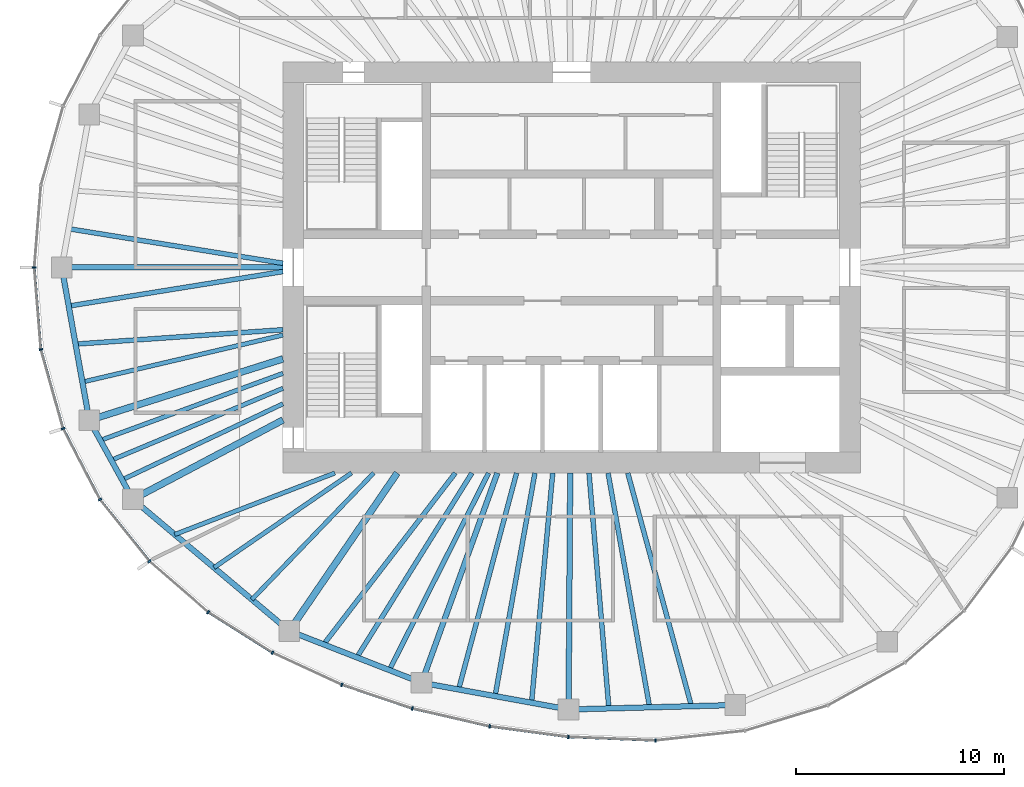
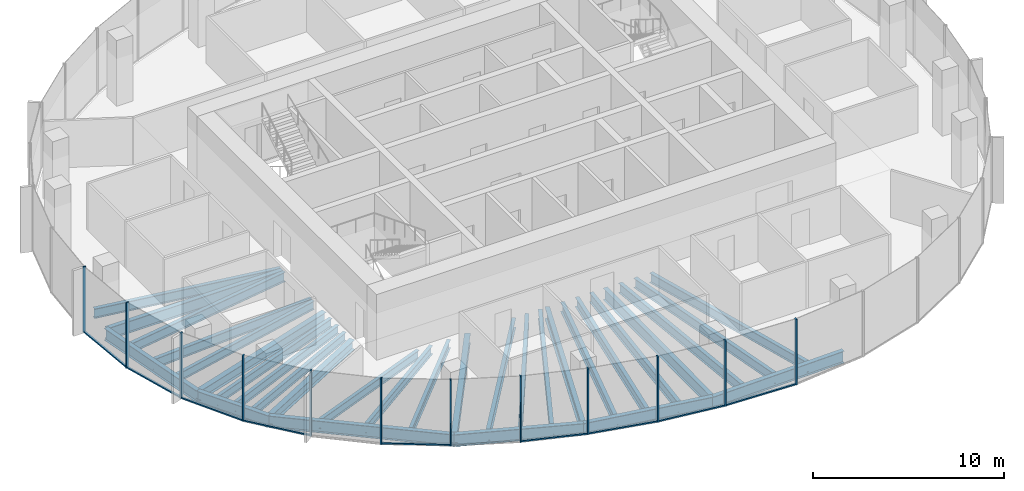
# One storey, part 2 of 11: 31 beams, 21 members, 6 elements without a shape of their own.
"""IFC4 building model written with IfcOpenShell, lengths in metres."""

from ifc_helpers import new_model, si_unit, direction, frame, origin, origin_2d, place, context, subcontext, project, spatial, rectangle, i_section, extrude, material, material_profile, profile_set, type_object, element, aggregate, save


model = new_model("IFC4")

# Units and contexts
model_context = context("Model", 3, precision=1e-05, world=origin(), true_north=direction((0.0, 1.0)))
body_context = subcontext(model_context, "Body", "Model", "MODEL_VIEW")
ifc_project = project(units=[si_unit("LENGTHUNIT", "METRE"), si_unit("AREAUNIT", "SQUARE_METRE"), si_unit("VOLUMEUNIT", "CUBIC_METRE"), si_unit("PLANEANGLEUNIT", "RADIAN"), si_unit("MASSUNIT", "GRAM", prefix="KILO")], contexts=[model_context])

# Site, building, storey
site_placement = place(None, origin())
site = spatial("IfcSite", under=ifc_project, at=site_placement, CompositionType="ELEMENT")
building_placement = place(site_placement, origin())
building = spatial("IfcBuilding", under=site, at=building_placement, Name="Ghaith Harvest Tower", CompositionType="ELEMENT")
storey_placement = place(building_placement, frame((0.0, 0.0, 317.39990234375)))
storey = spatial("IfcBuildingStorey", under=building, at=storey_placement, Name="L71", CompositionType="ELEMENT", Elevation=317.39990234375)

# Curtain wall, members
ifc_material_1 = material(Name="Black anodised aluminium and fritted glass", Category="aluminium")
curtain_wall_type = type_object("IfcCurtainWallType", Name="CW-T CURTAIN WALL", PredefinedType="NOTDEFINED", material=ifc_material_1)
curtain_wall_1_placement = place(storey_placement, origin())
curtain_wall_1 = element("IfcCurtainWall", 1, at=curtain_wall_1_placement, inside=storey, type_object=curtain_wall_type, Name="Curtain wall CW-T bay 11 L71", PredefinedType="NOTDEFINED")
ifc_material_2 = material(Name="Aluminium, black anodised", Category="aluminium")
ifc_material_profile_1 = material_profile(ifc_material_2, rectangle(XDim=0.080078125, YDim=0.179931640625, at=origin_2d()), Name="CW-T MULLION 80x180")
ifc_profile_set_1 = profile_set([ifc_material_profile_1], Name="Aluminium, black anodised")
member_type_1 = type_object("IfcMemberType", Name="CW-T MULLION 80x180", PredefinedType="MULLION", material=ifc_profile_set_1)
member_1_placement = place(storey_placement, frame((-25.8701171875, 0.0, 0.0), z_axis=(0.0, 0.0, 1.0), x_axis=(-1.05e-10, -1.0, 0.0)))
member_1 = element("IfcMember", 2, at=member_1_placement, type_object=member_type_1, Name="CW-T mullion 1 bay 11 L71", PredefinedType="MULLION", context=body_context, shape_type="SweptSolid", body=[
    extrude(rectangle(XDim=0.080078125, YDim=0.179931640625, at=origin_2d()), origin(), (0.0, 0.0, 1.0), 4.2001953125),
])
member_2_placement = place(storey_placement, frame((-25.5517578125, -3.9521484375, 0.0), z_axis=(0.0, 0.0, 1.0), x_axis=(0.176001391003, -0.98438991785, 0.0)))
member_2 = element("IfcMember", 3, at=member_2_placement, type_object=member_type_1, Name="CW-T mullion 2 bay 11 L71", PredefinedType="MULLION", context=body_context, shape_type="SweptSolid", body=[
    extrude(rectangle(XDim=0.080078125, YDim=0.179931640625, at=origin_2d()), origin(), (0.0, 0.0, 1.0), 4.2001953125),
])

curtain_wall_2_placement = place(storey_placement, origin())
curtain_wall_2 = element("IfcCurtainWall", 4, at=curtain_wall_2_placement, inside=storey, type_object=curtain_wall_type, Name="Curtain wall CW-T bay 12 L71", PredefinedType="NOTDEFINED")
member_3_placement = place(storey_placement, frame((-24.482666015625, -7.759033203125, 0.0), z_axis=(0.0, 0.0, 1.0), x_axis=(0.366473104734, -0.930428645038, 0.0)))
member_3 = element("IfcMember", 5, at=member_3_placement, type_object=member_type_1, Name="CW-T mullion 1 bay 12 L71", PredefinedType="MULLION", context=body_context, shape_type="SweptSolid", body=[
    extrude(rectangle(XDim=0.080078125, YDim=0.179931640625, at=origin_2d()), origin(), (0.0, 0.0, 1.0), 4.2001953125),
])
member_4_placement = place(storey_placement, frame((-22.706298828125, -11.176513671875, 0.0), z_axis=(0.0, 0.0, 1.0), x_axis=(0.545865412431, -0.837872873121, 0.0)))
member_4 = element("IfcMember", 6, at=member_4_placement, type_object=member_type_1, Name="CW-T mullion 2 bay 12 L71", PredefinedType="MULLION", context=body_context, shape_type="SweptSolid", body=[
    extrude(rectangle(XDim=0.080078125, YDim=0.179931640625, at=origin_2d()), origin(), (0.0, 0.0, 1.0), 4.2001953125),
])

curtain_wall_3_placement = place(storey_placement, origin())
curtain_wall_3 = element("IfcCurtainWall", 7, at=curtain_wall_3_placement, inside=storey, type_object=curtain_wall_type, Name="Curtain wall CW-T bay 13 L71", PredefinedType="NOTDEFINED")
member_5_placement = place(storey_placement, frame((-20.324462890625, -14.141845703125, 0.0), z_axis=(0.0, 0.0, 1.0), x_axis=(0.692826491831, -0.721104328248, 0.0)))
member_5 = element("IfcMember", 8, at=member_5_placement, type_object=member_type_1, Name="CW-T mullion 1 bay 13 L71", PredefinedType="MULLION", context=body_context, shape_type="SweptSolid", body=[
    extrude(rectangle(XDim=0.080078125, YDim=0.179931640625, at=origin_2d()), origin(), (0.0, 0.0, 1.0), 4.2001953125),
])
member_6_placement = place(storey_placement, frame((-17.49462890625, -16.600830078125, 0.0), z_axis=(0.0, 0.0, 1.0), x_axis=(0.802189888845, -0.59706899286, 0.0)))
member_6 = element("IfcMember", 9, at=member_6_placement, type_object=member_type_1, Name="CW-T mullion 2 bay 13 L71", PredefinedType="MULLION", context=body_context, shape_type="SweptSolid", body=[
    extrude(rectangle(XDim=0.080078125, YDim=0.179931640625, at=origin_2d()), origin(), (0.0, 0.0, 1.0), 4.2001953125),
])

curtain_wall_4_placement = place(storey_placement, origin())
curtain_wall_4 = element("IfcCurtainWall", 10, at=curtain_wall_4_placement, inside=storey, type_object=curtain_wall_type, Name="Curtain wall CW-T bay 14 L71", PredefinedType="NOTDEFINED")
member_7_placement = place(storey_placement, frame((-14.40478515625, -18.5478515625, 0.0), z_axis=(0.0, 0.0, 1.0), x_axis=(0.878671732732, -0.477426419564, 0.0)))
member_7 = element("IfcMember", 11, at=member_7_placement, type_object=member_type_1, Name="CW-T mullion 1 bay 14 L71", PredefinedType="MULLION", context=body_context, shape_type="SweptSolid", body=[
    extrude(rectangle(XDim=0.080078125, YDim=0.179931640625, at=origin_2d()), origin(), (0.0, 0.0, 1.0), 4.2001953125),
])
member_8_placement = place(storey_placement, frame((-11.0673828125, -20.093017578125, 0.0), z_axis=(0.0, 0.0, 1.0), x_axis=(0.92862442092, -0.371021138038, 0.0)))
member_8 = element("IfcMember", 12, at=member_8_placement, type_object=member_type_1, Name="CW-T mullion 2 bay 14 L71", PredefinedType="MULLION", context=body_context, shape_type="SweptSolid", body=[
    extrude(rectangle(XDim=0.080078125, YDim=0.179931640625, at=origin_2d()), origin(), (0.0, 0.0, 1.0), 4.2001953125),
])

curtain_wall_5_placement = place(storey_placement, origin())
curtain_wall_5 = element("IfcCurtainWall", 13, at=curtain_wall_5_placement, inside=storey, type_object=curtain_wall_type, Name="Curtain wall CW-T bay 15 L71", PredefinedType="NOTDEFINED")
member_9_placement = place(storey_placement, frame((-7.6708984375, -21.23828125, 0.0), z_axis=(0.0, 0.0, 1.0), x_axis=(0.962552491659, -0.271095372151, 0.0)))
member_9 = element("IfcMember", 14, at=member_9_placement, type_object=member_type_1, Name="CW-T mullion 1 bay 15 L71", PredefinedType="MULLION", context=body_context, shape_type="SweptSolid", body=[
    extrude(rectangle(XDim=0.080078125, YDim=0.179931640625, at=origin_2d()), origin(), (0.0, 0.0, 1.0), 4.2001953125),
])
member_10_placement = place(storey_placement, frame((-3.946533203125, -22.0986328125, 0.0), z_axis=(0.0, 0.0, 1.0), x_axis=(0.983843447712, -0.179030920217, 0.0)))
member_10 = element("IfcMember", 15, at=member_10_placement, type_object=member_type_1, Name="CW-T mullion 2 bay 15 L71", PredefinedType="MULLION", context=body_context, shape_type="SweptSolid", body=[
    extrude(rectangle(XDim=0.080078125, YDim=0.179931640625, at=origin_2d()), origin(), (0.0, 0.0, 1.0), 4.2001953125),
])

curtain_wall_6_placement = place(storey_placement, origin())
curtain_wall_6 = element("IfcCurtainWall", 16, at=curtain_wall_6_placement, inside=storey, type_object=curtain_wall_type, Name="Curtain wall CW-T bay 16 L71", PredefinedType="NOTDEFINED")
member_11_placement = place(storey_placement, frame((-0.15478515625, -22.60595703125, 0.0), z_axis=(0.0, 0.0, 1.0), x_axis=(0.996414855524, -0.084601629366, 0.0)))
member_11 = element("IfcMember", 17, at=member_11_placement, type_object=member_type_1, Name="CW-T mullion 1 bay 16 L71", PredefinedType="MULLION", context=body_context, shape_type="SweptSolid", body=[
    extrude(rectangle(XDim=0.080078125, YDim=0.179931640625, at=origin_2d()), origin(), (0.0, 0.0, 1.0), 4.2001953125),
])
member_12_placement = place(storey_placement, frame((4.037841796875, -22.776611328125, 0.0), z_axis=(0.0, 0.0, 1.0), x_axis=(0.999388631241, 0.034962318939, 0.0)))
member_12 = element("IfcMember", 18, at=member_12_placement, type_object=member_type_1, Name="CW-T mullion 2 bay 16 L71", PredefinedType="MULLION", context=body_context, shape_type="SweptSolid", body=[
    extrude(rectangle(XDim=0.080078125, YDim=0.179931640625, at=origin_2d()), origin(), (0.0, 0.0, 1.0), 4.2001953125),
])

# Member
ifc_material_3 = material(Name="Aluminium, black anodised", Category="aluminium")
ifc_material_profile_2 = material_profile(ifc_material_3, rectangle(XDim=0.1201171875, YDim=0.080078125, at=origin_2d()), Name="CW-T TRANSOM 120x80")
ifc_profile_set_2 = profile_set([ifc_material_profile_2], Name="Aluminium, black anodised")
member_type_2 = type_object("IfcMemberType", Name="CW-T TRANSOM 120x80", PredefinedType="USERDEFINED", material=ifc_profile_set_2)
member_13_placement = place(storey_placement, frame((-25.86669921875, -0.039794921875, 0.0400390625), z_axis=(0.08025226314, -0.996774585481, 0.0), x_axis=(0.996774585481, 0.08025226314, 0.0)))
member_13 = element("IfcMember", 19, at=member_13_placement, type_object=member_type_2, Name="CW-T transom 1 bay 11 L71", ObjectType="TRANSOM", PredefinedType="USERDEFINED", context=body_context, shape_type="SweptSolid", body=[
    extrude(rectangle(XDim=0.1201171875, YDim=0.080078125, at=origin_2d()), origin(), (0.0, 0.0, 1.0), 3.884765625),
])

member_14_placement = place(storey_placement, frame((-25.541015625, -3.990478515625, 0.0400390625), z_axis=(0.270340422972, -0.962764797709, 0.0), x_axis=(0.962764797709, 0.270340422972, 0.0)))
member_14 = element("IfcMember", 20, at=member_14_placement, type_object=member_type_2, Name="CW-T transom 2 bay 11 L71", ObjectType="TRANSOM", PredefinedType="USERDEFINED", context=body_context, shape_type="SweptSolid", body=[
    extrude(rectangle(XDim=0.1201171875, YDim=0.080078125, at=origin_2d()), origin(), (0.0, 0.0, 1.0), 3.874267578125),
])

aggregate(curtain_wall_1, [member_1, member_13, member_2, member_14])

member_15_placement = place(storey_placement, frame((-24.46435546875, -7.79443359375, 0.0400390625), z_axis=(0.461242681347, -0.887274021317, 0.0), x_axis=(0.887274021317, 0.461242681347, 0.0)))
member_15 = element("IfcMember", 21, at=member_15_placement, type_object=member_type_2, Name="CW-T transom 1 bay 12 L71", ObjectType="TRANSOM", PredefinedType="USERDEFINED", context=body_context, shape_type="SweptSolid", body=[
    extrude(rectangle(XDim=0.1201171875, YDim=0.080078125, at=origin_2d()), origin(), (0.0, 0.0, 1.0), 3.77197265625),
])

member_16_placement = place(storey_placement, frame((-22.68115234375, -11.207763671875, 0.0400390625), z_axis=(0.626253073761, -0.779619835307, 0.0), x_axis=(0.779619835307, 0.626253073761, 0.0)))
member_16 = element("IfcMember", 22, at=member_16_placement, type_object=member_type_2, Name="CW-T transom 2 bay 12 L71", ObjectType="TRANSOM", PredefinedType="USERDEFINED", context=body_context, shape_type="SweptSolid", body=[
    extrude(rectangle(XDim=0.1201171875, YDim=0.080078125, at=origin_2d()), origin(), (0.0, 0.0, 1.0), 3.723388671875),
])

aggregate(curtain_wall_2, [member_3, member_15, member_4, member_16])

member_17_placement = place(storey_placement, frame((-17.4609375, -16.6220703125, 0.0400390625), z_axis=(0.846053602505, -0.533097835006, 0.0), x_axis=(0.533097835006, 0.846053602505, 0.0)))
member_17 = element("IfcMember", 23, at=member_17_placement, type_object=member_type_2, Name="CW-T transom 2 bay 13 L71", ObjectType="TRANSOM", PredefinedType="USERDEFINED", context=body_context, shape_type="SweptSolid", body=[
    extrude(rectangle(XDim=0.1201171875, YDim=0.080078125, at=origin_2d()), origin(), (0.0, 0.0, 1.0), 3.572021484375),
])

aggregate(curtain_wall_3, [member_5, member_6, member_17])

member_18_placement = place(storey_placement, frame((-11.029541015625, -20.105712890625, 0.0400390625), z_axis=(0.9475698206, -0.319548799228, 0.0), x_axis=(0.319548799228, 0.9475698206, 0.0)))
member_18 = element("IfcMember", 24, at=member_18_placement, type_object=member_type_2, Name="CW-T transom 2 bay 14 L71", ObjectType="TRANSOM", PredefinedType="USERDEFINED", context=body_context, shape_type="SweptSolid", body=[
    extrude(rectangle(XDim=0.1201171875, YDim=0.080078125, at=origin_2d()), origin(), (0.0, 0.0, 1.0), 3.504638671875),
])

aggregate(curtain_wall_4, [member_7, member_8, member_18])

member_19_placement = place(storey_placement, frame((-7.6318359375, -21.247314453125, 0.0400390625), z_axis=(0.974344997799, -0.225059603803, 0.0), x_axis=(0.225059603803, 0.974344997799, 0.0)))
member_19 = element("IfcMember", 25, at=member_19_placement, type_object=member_type_2, Name="CW-T transom 1 bay 15 L71", ObjectType="TRANSOM", PredefinedType="USERDEFINED", context=body_context, shape_type="SweptSolid", body=[
    extrude(rectangle(XDim=0.1201171875, YDim=0.080078125, at=origin_2d()), origin(), (0.0, 0.0, 1.0), 3.742431640625),
])

member_20_placement = place(storey_placement, frame((-3.90673828125, -22.10400390625, 0.0400390625), z_axis=(0.99117202259, -0.132582131655, 0.0), x_axis=(0.132582131655, 0.99117202259, 0.0)))
member_20 = element("IfcMember", 26, at=member_20_placement, type_object=member_type_2, Name="CW-T transom 2 bay 15 L71", ObjectType="TRANSOM", PredefinedType="USERDEFINED", context=body_context, shape_type="SweptSolid", body=[
    extrude(rectangle(XDim=0.1201171875, YDim=0.080078125, at=origin_2d()), origin(), (0.0, 0.0, 1.0), 3.745361328125),
])

aggregate(curtain_wall_5, [member_9, member_19, member_10, member_20])

member_21_placement = place(storey_placement, frame((-0.11474609375, -22.607666015625, 0.0400390625), z_axis=(0.999174207562, -0.040631304968, 0.0), x_axis=(0.040631304968, 0.999174207562, 0.0)))
member_21 = element("IfcMember", 27, at=member_21_placement, type_object=member_type_2, Name="CW-T transom 1 bay 16 L71", ObjectType="TRANSOM", PredefinedType="USERDEFINED", context=body_context, shape_type="SweptSolid", body=[
    extrude(rectangle(XDim=0.1201171875, YDim=0.080078125, at=origin_2d()), origin(), (0.0, 0.0, 1.0), 4.115966796875),
])

aggregate(curtain_wall_6, [member_11, member_21, member_12])

# Beams
ifc_material_4 = material(Name="Steel ASTM A992 Grade 50", Category="steel")
ifc_material_profile_3 = material_profile(ifc_material_4, i_section(OverallWidth=0.26611328125, OverallDepth=0.758056640625, WebThickness=0.013916015625, FlangeThickness=0.019287109375, at=origin_2d()), Name="W760X161")
ifc_profile_set_3 = profile_set([ifc_material_profile_3], Name="Steel ASTM A992 Grade 50")
beam_type_1 = type_object("IfcBeamType", Name="E760-161 W760X161", PredefinedType="SPANDREL", material=ifc_profile_set_3)
beam_1_placement = place(storey_placement, frame((-24.550048828125, 0.0, -0.548828125), z_axis=(0.177296554745, -0.984157473007, 0.0), x_axis=(0.984157473007, 0.177296554745, 0.0)))
element("IfcBeam", 28, at=beam_1_placement, inside=storey, type_object=beam_type_1, Name="Edge beam E11 L71", PredefinedType="SPANDREL", context=body_context, shape_type="SweptSolid", body=[
    extrude(i_section(OverallWidth=0.26611328125, OverallDepth=0.758056640625, WebThickness=0.013916015625, FlangeThickness=0.019287109375, at=origin_2d()), origin(), (0.0, 0.0, 1.0), 7.478515625),
])
beam_2_placement = place(storey_placement, frame((-23.22412109375, -7.360107421875, -0.548828125), z_axis=(0.482955575345, -0.875644855089, 0.0), x_axis=(0.875644855089, 0.482955575345, 0.0)))
element("IfcBeam", 29, at=beam_2_placement, inside=storey, type_object=beam_type_1, Name="Edge beam E12 L71", PredefinedType="SPANDREL", context=body_context, shape_type="SweptSolid", body=[
    extrude(i_section(OverallWidth=0.26611328125, OverallDepth=0.758056640625, WebThickness=0.013916015625, FlangeThickness=0.019287109375, at=origin_2d()), origin(), (0.0, 0.0, 1.0), 4.346435546875),
])
beam_3_placement = place(storey_placement, frame((-21.125, -11.166015625, -0.548828125), z_axis=(0.765021818761, -0.64400436087, 0.0), x_axis=(0.64400436087, 0.765021818761, 0.0)))
element("IfcBeam", 30, at=beam_3_placement, inside=storey, type_object=beam_type_1, Name="Edge beam E13 L71", PredefinedType="SPANDREL", context=body_context, shape_type="SweptSolid", body=[
    extrude(i_section(OverallWidth=0.26611328125, OverallDepth=0.758056640625, WebThickness=0.013916015625, FlangeThickness=0.019287109375, at=origin_2d()), origin(), (0.0, 0.0, 1.0), 9.8427734375),
])
beam_4_placement = place(storey_placement, frame((-13.594970703125, -17.5048828125, -0.548828125), z_axis=(0.931322768207, -0.364194867371, 0.0), x_axis=(0.364194867371, 0.931322768207, 0.0)))
element("IfcBeam", 31, at=beam_4_placement, inside=storey, type_object=beam_type_1, Name="Edge beam E14 L71", PredefinedType="SPANDREL", context=body_context, shape_type="SweptSolid", body=[
    extrude(i_section(OverallWidth=0.26611328125, OverallDepth=0.758056640625, WebThickness=0.013916015625, FlangeThickness=0.019287109375, at=origin_2d()), origin(), (0.0, 0.0, 1.0), 6.843017578125),
])
beam_5_placement = place(storey_placement, frame((-7.221923828125, -19.9970703125, -0.548828125), z_axis=(0.983813921429, -0.179193102551, 0.0), x_axis=(0.179193102551, 0.983813921429, 0.0)))
element("IfcBeam", 32, at=beam_5_placement, inside=storey, type_object=beam_type_1, Name="Edge beam E15 L71", PredefinedType="SPANDREL", context=body_context, shape_type="SweptSolid", body=[
    extrude(i_section(OverallWidth=0.26611328125, OverallDepth=0.758056640625, WebThickness=0.013916015625, FlangeThickness=0.019287109375, at=origin_2d()), origin(), (0.0, 0.0, 1.0), 7.1923828125),
])
beam_6_placement = place(storey_placement, frame((-0.14599609375, -21.285888671875, -0.548828125), z_axis=(0.999644979696, 0.02664422206, 0.0), x_axis=(-0.02664422206, 0.999644979696, 0.0)))
element("IfcBeam", 33, at=beam_6_placement, inside=storey, type_object=beam_type_1, Name="Edge beam E16 L71", PredefinedType="SPANDREL", context=body_context, shape_type="SweptSolid", body=[
    extrude(i_section(OverallWidth=0.26611328125, OverallDepth=0.758056640625, WebThickness=0.013916015625, FlangeThickness=0.019287109375, at=origin_2d()), origin(), (0.0, 0.0, 1.0), 8.02685546875),
])
ifc_material_5 = material(Name="Steel ASTM A992 Grade 50", Category="steel")
ifc_material_profile_4 = material_profile(ifc_material_5, i_section(OverallWidth=0.323974609375, OverallDepth=0.611083984375, WebThickness=0.0126953125, FlangeThickness=0.01904296875, at=origin_2d()), Name="W610X155")
ifc_profile_set_4 = profile_set([ifc_material_profile_4], Name="Steel ASTM A992 Grade 50")
beam_type_2 = type_object("IfcBeamType", Name="G610-155 W610X155", PredefinedType="BEAM", material=ifc_profile_set_4)
beam_7_placement = place(storey_placement, frame((-13.89990234375, -4.4052734375, -0.475341796875), z_axis=(-0.953278508772, -0.302092841215, 0.0), x_axis=(0.302092841215, -0.953278508772, 0.0)))
element("IfcBeam", 34, at=beam_7_placement, inside=storey, type_object=beam_type_2, Name="Radial girder G12 L71", PredefinedType="BEAM", context=body_context, shape_type="SweptSolid", body=[
    extrude(i_section(OverallWidth=0.323974609375, OverallDepth=0.611083984375, WebThickness=0.0126953125, FlangeThickness=0.01904296875, at=origin_2d()), origin(), (0.0, 0.0, 1.0), 9.78125),
])
beam_8_placement = place(storey_placement, frame((-13.89990234375, -7.34716796875, -0.475341796875), z_axis=(-0.88410164037, -0.467294649546, 0.0), x_axis=(0.467294649546, -0.88410164037, 0.0)))
element("IfcBeam", 35, at=beam_8_placement, inside=storey, type_object=beam_type_2, Name="Radial girder G13 L71", PredefinedType="BEAM", context=body_context, shape_type="SweptSolid", body=[
    extrude(i_section(OverallWidth=0.323974609375, OverallDepth=0.611083984375, WebThickness=0.0126953125, FlangeThickness=0.01904296875, at=origin_2d()), origin(), (0.0, 0.0, 1.0), 8.17236328125),
])
beam_9_placement = place(storey_placement, frame((-8.39990234375, -9.89990234375, -0.475341796875), z_axis=(-0.564067018201, -0.825729010619, 0.0), x_axis=(0.825729010619, -0.564067018201, 0.0)))
element("IfcBeam", 36, at=beam_9_placement, inside=storey, type_object=beam_type_2, Name="Radial girder G14 L71", PredefinedType="BEAM", context=body_context, shape_type="SweptSolid", body=[
    extrude(i_section(OverallWidth=0.323974609375, OverallDepth=0.611083984375, WebThickness=0.0126953125, FlangeThickness=0.01904296875, at=origin_2d()), origin(), (0.0, 0.0, 1.0), 9.2099609375),
])
ifc_material_6 = material(Name="Steel ASTM A992 Grade 50", Category="steel")
ifc_material_profile_5 = material_profile(ifc_material_6, i_section(OverallWidth=0.26611328125, OverallDepth=0.758056640625, WebThickness=0.013916015625, FlangeThickness=0.019287109375, at=origin_2d()), Name="W760X161")
ifc_profile_set_5 = profile_set([ifc_material_profile_5], Name="Steel ASTM A992 Grade 50")
beam_type_3 = type_object("IfcBeamType", Name="G760-161 W760X161", PredefinedType="BEAM", material=ifc_profile_set_5)
beam_10_placement = place(storey_placement, frame((-13.89990234375, 0.0, -0.548828125), z_axis=(-1.0, 0.0, 0.0), x_axis=(0.0, -1.0, 0.0)))
element("IfcBeam", 37, at=beam_10_placement, inside=storey, type_object=beam_type_3, Name="Radial girder G11 L71", PredefinedType="BEAM", context=body_context, shape_type="SweptSolid", body=[
    extrude(i_section(OverallWidth=0.26611328125, OverallDepth=0.758056640625, WebThickness=0.013916015625, FlangeThickness=0.019287109375, at=origin_2d()), origin(), (0.0, 0.0, 1.0), 10.650146484375),
])
beam_11_placement = place(storey_placement, frame((-3.57568359375, -9.89990234375, -0.548828125), z_axis=(-0.339647816823, -0.940552688863, 0.0), x_axis=(0.940552688863, -0.339647816823, 0.0)))
element("IfcBeam", 38, at=beam_11_placement, inside=storey, type_object=beam_type_3, Name="Radial girder G15 L71", PredefinedType="BEAM", context=body_context, shape_type="SweptSolid", body=[
    extrude(i_section(OverallWidth=0.26611328125, OverallDepth=0.758056640625, WebThickness=0.013916015625, FlangeThickness=0.019287109375, at=origin_2d()), origin(), (0.0, 0.0, 1.0), 10.7353515625),
])
beam_12_placement = place(storey_placement, frame((-0.06787109375, -9.89990234375, -0.548828125), z_axis=(-0.006861343299, -0.999976460707, 0.0), x_axis=(0.999976460707, -0.006861343299, 0.0)))
element("IfcBeam", 39, at=beam_12_placement, inside=storey, type_object=beam_type_3, Name="Radial girder G16 L71", PredefinedType="BEAM", context=body_context, shape_type="SweptSolid", body=[
    extrude(i_section(OverallWidth=0.26611328125, OverallDepth=0.758056640625, WebThickness=0.013916015625, FlangeThickness=0.019287109375, at=origin_2d()), origin(), (0.0, 0.0, 1.0), 11.38623046875),
])
ifc_material_7 = material(Name="Steel ASTM A992 Grade 50", Category="steel")
ifc_material_profile_6 = material_profile(ifc_material_7, i_section(OverallWidth=0.2109375, OverallDepth=0.5390625, WebThickness=0.01171875, FlangeThickness=0.018798828125, at=origin_2d()), Name="W530X109")
ifc_profile_set_6 = profile_set([ifc_material_profile_6], Name="Steel ASTM A992 Grade 50")
beam_type_4 = type_object("IfcBeamType", Name="J530-109 W530X109", PredefinedType="JOIST", material=ifc_profile_set_6)
beam_13_placement = place(storey_placement, frame((-13.89990234375, -3.257080078125, -0.439453125), z_axis=(-0.973623403271, -0.228161058472, 0.0), x_axis=(0.228161058472, -0.973623403271, 0.0)))
element("IfcBeam", 40, at=beam_13_placement, inside=storey, type_object=beam_type_4, Name="Joist J11.3 L71", PredefinedType="JOIST", context=body_context, shape_type="SweptSolid", body=[
    extrude(i_section(OverallWidth=0.2109375, OverallDepth=0.5390625, WebThickness=0.01171875, FlangeThickness=0.018798828125, at=origin_2d()), origin(), (0.0, 0.0, 1.0), 9.9169921875),
])
beam_14_placement = place(storey_placement, frame((-13.89990234375, -5.101318359375, -0.439453125), z_axis=(-0.938776837502, -0.34452583266, 0.0), x_axis=(0.34452583266, -0.938776837502, 0.0)))
element("IfcBeam", 41, at=beam_14_placement, inside=storey, type_object=beam_type_4, Name="Joist J12.1 L71", PredefinedType="JOIST", context=body_context, shape_type="SweptSolid", body=[
    extrude(i_section(OverallWidth=0.2109375, OverallDepth=0.5390625, WebThickness=0.01171875, FlangeThickness=0.018798828125, at=origin_2d()), origin(), (0.0, 0.0, 1.0), 9.36376953125),
])
beam_15_placement = place(storey_placement, frame((-13.89990234375, -5.82080078125, -0.439453125), z_axis=(-0.922394258818, -0.38624970071, 0.0), x_axis=(0.38624970071, -0.922394258818, 0.0)))
element("IfcBeam", 42, at=beam_15_placement, inside=storey, type_object=beam_type_4, Name="Joist J12.2 L71", PredefinedType="JOIST", context=body_context, shape_type="SweptSolid", body=[
    extrude(i_section(OverallWidth=0.2109375, OverallDepth=0.5390625, WebThickness=0.01171875, FlangeThickness=0.018798828125, at=origin_2d()), origin(), (0.0, 0.0, 1.0), 8.959716796875),
])
beam_16_placement = place(storey_placement, frame((-13.89990234375, -6.56787109375, -0.439453125), z_axis=(-0.904165769726, -0.427181765594, 0.0), x_axis=(0.427181765594, -0.904165769726, 0.0)))
element("IfcBeam", 43, at=beam_16_placement, inside=storey, type_object=beam_type_4, Name="Joist J12.3 L71", PredefinedType="JOIST", context=body_context, shape_type="SweptSolid", body=[
    extrude(i_section(OverallWidth=0.2109375, OverallDepth=0.5390625, WebThickness=0.01171875, FlangeThickness=0.018798828125, at=origin_2d()), origin(), (0.0, 0.0, 1.0), 8.564208984375),
])
beam_17_placement = place(storey_placement, frame((-11.39990234375, -9.89990234375, -0.439453125), z_axis=(-0.933583045329, -0.358361127181, 0.0), x_axis=(0.358361127181, -0.933583045329, 0.0)))
element("IfcBeam", 44, at=beam_17_placement, inside=storey, type_object=beam_type_4, Name="Joist J13.1 L71", PredefinedType="JOIST", context=body_context, shape_type="SweptSolid", body=[
    extrude(i_section(OverallWidth=0.2109375, OverallDepth=0.5390625, WebThickness=0.01171875, FlangeThickness=0.018798828125, at=origin_2d()), origin(), (0.0, 0.0, 1.0), 8.260986328125),
])
beam_18_placement = place(storey_placement, frame((-10.60009765625, -9.89990234375, -0.439453125), z_axis=(-0.823778502511, -0.566911791023, 0.0), x_axis=(0.566911791023, -0.823778502511, 0.0)))
element("IfcBeam", 45, at=beam_18_placement, inside=storey, type_object=beam_type_4, Name="Joist J13.2 L71", PredefinedType="JOIST", context=body_context, shape_type="SweptSolid", body=[
    extrude(i_section(OverallWidth=0.2109375, OverallDepth=0.5390625, WebThickness=0.01171875, FlangeThickness=0.018798828125, at=origin_2d()), origin(), (0.0, 0.0, 1.0), 8.0341796875),
])
beam_19_placement = place(storey_placement, frame((-9.530517578125, -9.89990234375, -0.439453125), z_axis=(-0.693536238632, -0.720421741554, 0.0), x_axis=(0.720421741554, -0.693536238632, 0.0)))
element("IfcBeam", 46, at=beam_19_placement, inside=storey, type_object=beam_type_4, Name="Joist J13.3 L71", PredefinedType="JOIST", context=body_context, shape_type="SweptSolid", body=[
    extrude(i_section(OverallWidth=0.2109375, OverallDepth=0.5390625, WebThickness=0.01171875, FlangeThickness=0.018798828125, at=origin_2d()), origin(), (0.0, 0.0, 1.0), 8.4541015625),
])
ifc_material_8 = material(Name="Steel ASTM A992 Grade 50", Category="steel")
ifc_material_profile_7 = material_profile(ifc_material_8, i_section(OverallWidth=0.22998046875, OverallDepth=0.616943359375, WebThickness=0.01318359375, FlangeThickness=0.022216796875, at=origin_2d()), Name="W610X140")
ifc_profile_set_7 = profile_set([ifc_material_profile_7], Name="Steel ASTM A992 Grade 50")
beam_type_5 = type_object("IfcBeamType", Name="J610-140 W610X140", PredefinedType="JOIST", material=ifc_profile_set_7)
for number, where, z_axis, x_axis, name in (
    (47, (-13.89990234375, 0.199951171875, -0.478515625), (-0.987271793524, 0.159042150743, 0.0), (-0.159042150743, -0.987271793524, 0.0), "Joist J10.3 L71"),
    (48, (-13.89990234375, -0.199951171875, -0.478515625), (-0.987271793524, -0.159042150743, 0.0), (0.159042150743, -0.987271793524, 0.0), "Joist J11.1 L71"),
):
    element("IfcBeam", number, at=place(storey_placement, frame(where, z_axis=z_axis, x_axis=x_axis)), inside=storey, type_object=beam_type_5, Name=name, PredefinedType="JOIST", context=body_context, shape_type="SweptSolid", body=[
        extrude(i_section(OverallWidth=0.22998046875, OverallDepth=0.616943359375, WebThickness=0.01318359375, FlangeThickness=0.022216796875, at=origin_2d()), origin(), (0.0, 0.0, 1.0), 10.44775390625),
    ])
beam_20_placement = place(storey_placement, frame((-13.89990234375, -3.0, -0.478515625), z_axis=(-0.997592478057, -0.069348739886, 0.0), x_axis=(0.069348739886, -0.997592478057, 0.0)))
element("IfcBeam", 49, at=beam_20_placement, inside=storey, type_object=beam_type_5, Name="Joist J11.2 L71", PredefinedType="JOIST", context=body_context, shape_type="SweptSolid", body=[
    extrude(i_section(OverallWidth=0.22998046875, OverallDepth=0.616943359375, WebThickness=0.01318359375, FlangeThickness=0.022216796875, at=origin_2d()), origin(), (0.0, 0.0, 1.0), 10.0087890625),
])
beam_21_placement = place(storey_placement, frame((-5.60009765625, -9.89990234375, -0.478515625), z_axis=(-0.609353577926, -0.792898617144, 0.0), x_axis=(0.792898617144, -0.609353577926, 0.0)))
element("IfcBeam", 50, at=beam_21_placement, inside=storey, type_object=beam_type_5, Name="Joist J14.1 L71", PredefinedType="JOIST", context=body_context, shape_type="SweptSolid", body=[
    extrude(i_section(OverallWidth=0.22998046875, OverallDepth=0.616943359375, WebThickness=0.01318359375, FlangeThickness=0.022216796875, at=origin_2d()), origin(), (0.0, 0.0, 1.0), 10.406982421875),
])
beam_22_placement = place(storey_placement, frame((-4.800048828125, -9.89990234375, -0.478515625), z_axis=(-0.529596254905, -0.848249849273, 0.0), x_axis=(0.848249849273, -0.529596254905, 0.0)))
element("IfcBeam", 51, at=beam_22_placement, inside=storey, type_object=beam_type_5, Name="Joist J14.2 L71", PredefinedType="JOIST", context=body_context, shape_type="SweptSolid", body=[
    extrude(i_section(OverallWidth=0.22998046875, OverallDepth=0.616943359375, WebThickness=0.01318359375, FlangeThickness=0.022216796875, at=origin_2d()), origin(), (0.0, 0.0, 1.0), 10.465087890625),
])
beam_23_placement = place(storey_placement, frame((-4.0, -9.89990234375, -0.478515625), z_axis=(-0.449556131123, -0.893252083664, 0.0), x_axis=(0.893252083664, -0.449556131123, 0.0)))
element("IfcBeam", 52, at=beam_23_placement, inside=storey, type_object=beam_type_5, Name="Joist J14.3 L71", PredefinedType="JOIST", context=body_context, shape_type="SweptSolid", body=[
    extrude(i_section(OverallWidth=0.22998046875, OverallDepth=0.616943359375, WebThickness=0.01318359375, FlangeThickness=0.022216796875, at=origin_2d()), origin(), (0.0, 0.0, 1.0), 10.62353515625),
])
beam_24_placement = place(storey_placement, frame((-2.651123046875, -9.89990234375, -0.478515625), z_axis=(-0.258678019609, -0.965963602923, 0.0), x_axis=(0.965963602923, -0.258678019609, 0.0)))
element("IfcBeam", 53, at=beam_24_placement, inside=storey, type_object=beam_type_5, Name="Joist J15.1 L71", PredefinedType="JOIST", context=body_context, shape_type="SweptSolid", body=[
    extrude(i_section(OverallWidth=0.22998046875, OverallDepth=0.616943359375, WebThickness=0.01318359375, FlangeThickness=0.022216796875, at=origin_2d()), origin(), (0.0, 0.0, 1.0), 10.78857421875),
])
beam_25_placement = place(storey_placement, frame((-1.76806640625, -9.89990234375, -0.478515625), z_axis=(-0.175803029262, -0.984425362789, 0.0), x_axis=(0.984425362789, -0.175803029262, 0.0)))
element("IfcBeam", 54, at=beam_25_placement, inside=storey, type_object=beam_type_5, Name="Joist J15.2 L71", PredefinedType="JOIST", context=body_context, shape_type="SweptSolid", body=[
    extrude(i_section(OverallWidth=0.22998046875, OverallDepth=0.616943359375, WebThickness=0.01318359375, FlangeThickness=0.022216796875, at=origin_2d()), origin(), (0.0, 0.0, 1.0), 10.9111328125),
])
beam_26_placement = place(storey_placement, frame((-0.9111328125, -9.89990234375, -0.478515625), z_axis=(-0.091651380942, -0.995791154998, 0.0), x_axis=(0.995791154998, -0.091651380942, 0.0)))
element("IfcBeam", 55, at=beam_26_placement, inside=storey, type_object=beam_type_5, Name="Joist J15.3 L71", PredefinedType="JOIST", context=body_context, shape_type="SweptSolid", body=[
    extrude(i_section(OverallWidth=0.22998046875, OverallDepth=0.616943359375, WebThickness=0.01318359375, FlangeThickness=0.022216796875, at=origin_2d()), origin(), (0.0, 0.0, 1.0), 11.10791015625),
])
beam_27_placement = place(storey_placement, frame((0.836669921875, -9.89990234375, -0.478515625), z_axis=(0.084201795166, -0.996448723061, 0.0), x_axis=(0.996448723061, 0.084201795166, 0.0)))
element("IfcBeam", 56, at=beam_27_placement, inside=storey, type_object=beam_type_5, Name="Joist J16.1 L71", PredefinedType="JOIST", context=body_context, shape_type="SweptSolid", body=[
    extrude(i_section(OverallWidth=0.22998046875, OverallDepth=0.616943359375, WebThickness=0.01318359375, FlangeThickness=0.022216796875, at=origin_2d()), origin(), (0.0, 0.0, 1.0), 11.37451171875),
])
beam_28_placement = place(storey_placement, frame((1.7548828125, -9.89990234375, -0.478515625), z_axis=(0.174572943493, -0.98464424408, 0.0), x_axis=(0.98464424408, 0.174572943493, 0.0)))
element("IfcBeam", 57, at=beam_28_placement, inside=storey, type_object=beam_type_5, Name="Joist J16.2 L71", PredefinedType="JOIST", context=body_context, shape_type="SweptSolid", body=[
    extrude(i_section(OverallWidth=0.22998046875, OverallDepth=0.616943359375, WebThickness=0.01318359375, FlangeThickness=0.022216796875, at=origin_2d()), origin(), (0.0, 0.0, 1.0), 11.4580078125),
])
beam_29_placement = place(storey_placement, frame((2.70361328125, -9.89990234375, -0.478515625), z_axis=(0.263468802698, -0.964667916956, 0.0), x_axis=(0.964667916956, 0.263468802698, 0.0)))
element("IfcBeam", 58, at=beam_29_placement, inside=storey, type_object=beam_type_5, Name="Joist J16.3 L71", PredefinedType="JOIST", context=body_context, shape_type="SweptSolid", body=[
    extrude(i_section(OverallWidth=0.22998046875, OverallDepth=0.616943359375, WebThickness=0.01318359375, FlangeThickness=0.022216796875, at=origin_2d()), origin(), (0.0, 0.0, 1.0), 11.639404296875),
])

save(model, "model.ifc")
